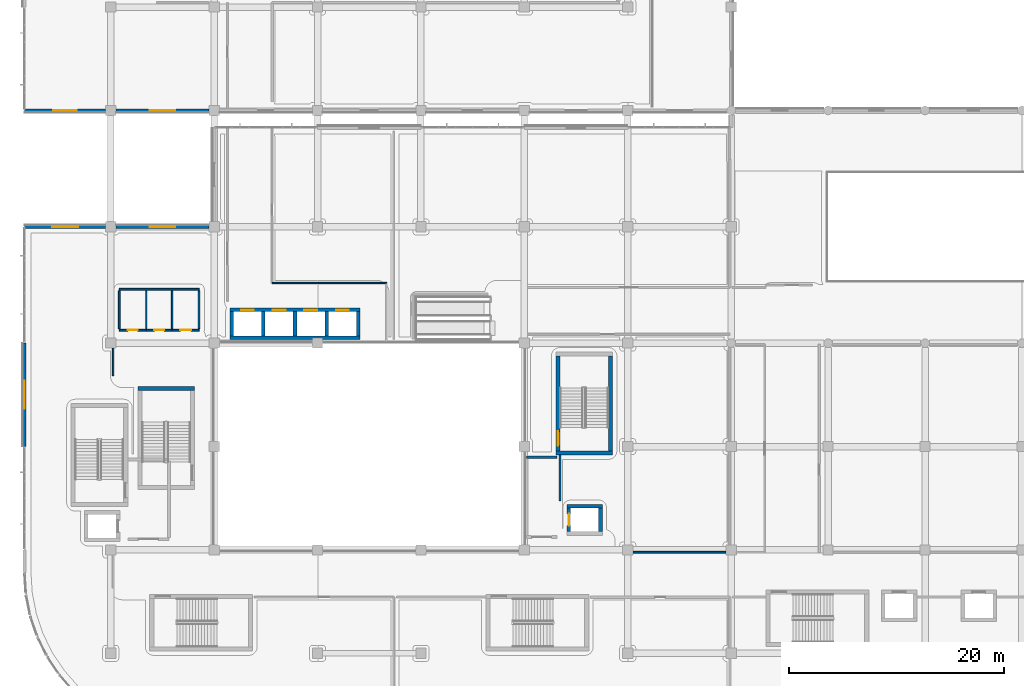
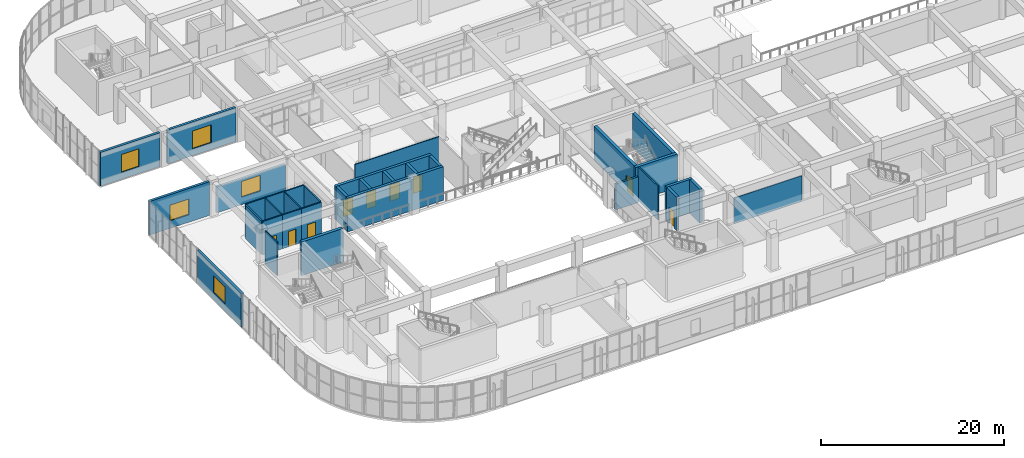
# One storey, part 52 of 86: 32 walls, 9 doors, 5 windows, 14 openings.
"""IFC4 building model written with IfcOpenShell, lengths in metres."""

from ifc_helpers import new_model, si_unit, direction, frame, frame_2d, origin, place, context, subcontext, project, spatial, rectangle, extrude, material, layer, layer_set, type_object, element, fill, save


model = new_model("IFC4")

# Units and contexts
model_context = context("Model", 3, precision=1e-05, world=origin(), true_north=direction((0.0, 1.0)))
body_context = subcontext(model_context, "Body", "Model", "MODEL_VIEW")
ifc_project = project(units=[si_unit("LENGTHUNIT", "METRE"), si_unit("AREAUNIT", "SQUARE_METRE"), si_unit("VOLUMEUNIT", "CUBIC_METRE"), si_unit("PLANEANGLEUNIT", "RADIAN"), si_unit("MASSUNIT", "GRAM", prefix="KILO")], contexts=[model_context])

# Site, building, storey
site_placement = place(None, origin())
site = spatial("IfcSite", under=ifc_project, at=site_placement, CompositionType="ELEMENT")
building_placement = place(site_placement, origin())
building = spatial("IfcBuilding", under=site, at=building_placement, Name="Cendralis Terraced Arcade", CompositionType="ELEMENT")
storey_placement = place(building_placement, frame((0.0, 0.0, 5.39990234375)))
storey = spatial("IfcBuildingStorey", under=building, at=storey_placement, Name="L01", CompositionType="ELEMENT", Elevation=5.39990234375)

# Wall
ifc_material_1 = material(Name="Concrete f'c 42 MPa", Category="concrete")
ifc_layer_1 = layer(ifc_material_1, 0.340087890625, Name="WL-CORE-340")
ifc_layer_set_1 = layer_set([ifc_layer_1], Name="Concrete f'c 42 MPa")
wall_type_1 = type_object("IfcWallType", Name="WL-CORE-340", PredefinedType="SHEAR", material=ifc_layer_set_1)
wall_1_placement = place(storey_placement, frame((51.9599609375, 23.27001953125, 0.0), z_axis=(0.0, 0.0, 1.0), x_axis=(1.0, 0.0, 0.0)))
element("IfcWall", 1, at=wall_1_placement, inside=storey, type_object=wall_type_1, Name="Lift FFL-02 Reinforced Concrete Shaft Wall (L01)", PredefinedType="SHEAR", context=body_context, shape_type="SweptSolid", body=[
    extrude(rectangle(XDim=3.280029296875, YDim=0.340087890625, at=frame_2d((1.64013671875, 0.0))), origin(), (0.0, 0.0, 1.0), 4.505126953125),
])

# Wall, opening, door
wall_2_placement = place(storey_placement, frame((52.1298828125, 20.89990234375, 0.0), z_axis=(0.0, 0.0, 1.0), x_axis=(0.0, 1.0, 0.0)))
wall_2 = element("IfcWall", 2, at=wall_2_placement, inside=storey, type_object=wall_type_1, Name="Lift FFL-02 Reinforced Concrete Shaft Wall (L01)", PredefinedType="SHEAR", context=body_context, shape_type="SweptSolid", body=[
    extrude(rectangle(XDim=2.2001953125, YDim=0.340087890625, at=frame_2d((1.10009765625, 0.0))), origin(), (0.0, 0.0, 1.0), 4.505126953125),
])
opening_1_placement = place(wall_2_placement, frame((0.550048828125, 0.0, 0.0)))
opening_1 = element("IfcOpeningElement", 3, at=opening_1_placement, cuts=wall_2, Name="Opening LD-FFL-02-L01", PredefinedType="OPENING", context=body_context, shape_type="SweptSolid", body=[
    extrude(rectangle(XDim=1.10009765625, YDim=2.14990234375, at=frame_2d((0.550048828125, 1.074951171875))), frame((0.0, 0.18212890625, 0.0), z_axis=(0.0, -1.0, 0.0), x_axis=(1.0, 0.0, 0.0)), (0.0, 0.0, 1.0), 0.364013671875),
])
ifc_material_2 = material(Name="Anodised aluminium sliding door assembly", Category="aluminium")
door_type_1 = type_object("IfcDoorType", Name="ID-LD-FF-1100x2150", OperationType="DOUBLE_DOOR_SLIDING", PredefinedType="DOOR", material=ifc_material_2)
door_1_placement = place(opening_1_placement, origin())
door_1 = element("IfcDoor", 4, at=door_1_placement, inside=storey, type_object=door_type_1, Name="Lift FFL-02 Sliding Landing Door (L01)", OperationType="DOUBLE_DOOR_SLIDING", OverallHeight=2.14990234375, OverallWidth=1.10009765625, PredefinedType="DOOR", context=body_context, shape_type="SweptSolid", body=[
    extrude(rectangle(XDim=1.10009765625, YDim=2.14990234375, at=frame_2d((0.550048828125, 1.074951171875))), frame((0.0, 0.02490234375, 0.0), z_axis=(0.0, -1.0, 0.0), x_axis=(1.0, 0.0, 0.0)), (0.0, 0.0, 1.0), 0.050048828125),
])
fill(opening_1, door_1)

# Walls
wall_3_placement = place(storey_placement, frame((55.070068359375, 20.89990234375, 0.0), z_axis=(0.0, 0.0, 1.0), x_axis=(0.0, 1.0, 0.0)))
element("IfcWall", 5, at=wall_3_placement, inside=storey, type_object=wall_type_1, Name="Lift FFL-02 Reinforced Concrete Shaft Wall (L01)", PredefinedType="SHEAR", context=body_context, shape_type="SweptSolid", body=[
    extrude(rectangle(XDim=2.2001953125, YDim=0.340087890625, at=frame_2d((1.10009765625, 0.0))), origin(), (0.0, 0.0, 1.0), 4.505126953125),
])
for number, where, z_axis, x_axis, name in (
    (6, (23.77001953125, 39.074951171875, 0.0), (0.0, 0.0, 1.0), (0.0, 1.0, 0.0), "Lift PL-01 Reinforced Concrete Shaft Wall (L01)"),
    (7, (20.830078125, 39.074951171875, 0.0), (0.0, 0.0, 1.0), (0.0, 1.0, 0.0), "Lift PL-01 Reinforced Concrete Shaft Wall (L01)"),
):
    element("IfcWall", number, at=place(storey_placement, frame(where, z_axis=z_axis, x_axis=x_axis)), inside=storey, type_object=wall_type_1, Name=name, PredefinedType="SHEAR", context=body_context, shape_type="SweptSolid", body=[
        extrude(rectangle(XDim=2.25, YDim=0.340087890625, at=frame_2d((1.125, 0.0))), origin(), (0.0, 0.0, 1.0), 4.505126953125),
    ])
wall_4_placement = place(storey_placement, frame((20.659912109375, 38.905029296875, 0.0), z_axis=(0.0, 0.0, 1.0), x_axis=(1.0, 0.0, 0.0)))
element("IfcWall", 8, at=wall_4_placement, inside=storey, type_object=wall_type_1, Name="Lift PL-01 Reinforced Concrete Shaft Wall (L01)", PredefinedType="SHEAR", context=body_context, shape_type="SweptSolid", body=[
    extrude(rectangle(XDim=12.10009765625, YDim=0.340087890625, at=frame_2d((6.050048828125, 0.0))), origin(), (0.0, 0.0, 1.0), 4.505126953125),
])

# Wall, openings, doors
wall_5_placement = place(storey_placement, frame((20.659912109375, 41.4951171875, 0.0), z_axis=(0.0, 0.0, 1.0), x_axis=(1.0, 0.0, 0.0)))
wall_5 = element("IfcWall", 9, at=wall_5_placement, inside=storey, type_object=wall_type_1, Name="Lift PL-01 Reinforced Concrete Shaft Wall (L01)", PredefinedType="SHEAR", context=body_context, shape_type="SweptSolid", body=[
    extrude(rectangle(XDim=12.10009765625, YDim=0.340087890625, at=frame_2d((6.050048828125, 0.0))), origin(), (0.0, 0.0, 1.0), 4.505126953125),
])
opening_2_placement = place(wall_5_placement, frame((1.0400390625, 0.0, 0.0)))
opening_2 = element("IfcOpeningElement", 10, at=opening_2_placement, cuts=wall_5, Name="Opening LD-PL-01-L01", PredefinedType="OPENING", context=body_context, shape_type="SweptSolid", body=[
    extrude(rectangle(XDim=1.199951171875, YDim=2.199951171875, at=frame_2d((0.60009765625, 1.10009765625))), frame((0.0, 0.18212890625, 0.0), z_axis=(0.0, -1.0, 0.0), x_axis=(1.0, 0.0, 0.0)), (0.0, 0.0, 1.0), 0.364013671875),
])
opening_3_placement = place(wall_5_placement, frame((3.97998046875, 0.0, 0.0)))
opening_3 = element("IfcOpeningElement", 11, at=opening_3_placement, cuts=wall_5, Name="Opening LD-PL-02-L01", PredefinedType="OPENING", context=body_context, shape_type="SweptSolid", body=[
    extrude(rectangle(XDim=1.199951171875, YDim=2.199951171875, at=frame_2d((0.60009765625, 1.10009765625))), frame((0.0, 0.18212890625, 0.0), z_axis=(0.0, -1.0, 0.0), x_axis=(1.0, 0.0, 0.0)), (0.0, 0.0, 1.0), 0.364013671875),
])
opening_4_placement = place(wall_5_placement, frame((6.919921875, 0.0, 0.0)))
opening_4 = element("IfcOpeningElement", 12, at=opening_4_placement, cuts=wall_5, Name="Opening LD-PL-03-L01", PredefinedType="OPENING", context=body_context, shape_type="SweptSolid", body=[
    extrude(rectangle(XDim=1.199951171875, YDim=2.199951171875, at=frame_2d((0.60009765625, 1.10009765625))), frame((0.0, 0.18212890625, 0.0), z_axis=(0.0, -1.0, 0.0), x_axis=(1.0, 0.0, 0.0)), (0.0, 0.0, 1.0), 0.364013671875),
])
opening_5_placement = place(wall_5_placement, frame((9.860107421875, 0.0, 0.0)))
opening_5 = element("IfcOpeningElement", 13, at=opening_5_placement, cuts=wall_5, Name="Opening LD-PL-04-L01", PredefinedType="OPENING", context=body_context, shape_type="SweptSolid", body=[
    extrude(rectangle(XDim=1.199951171875, YDim=2.199951171875, at=frame_2d((0.60009765625, 1.10009765625))), frame((0.0, 0.18212890625, 0.0), z_axis=(0.0, -1.0, 0.0), x_axis=(1.0, 0.0, 0.0)), (0.0, 0.0, 1.0), 0.364013671875),
])
door_type_2 = type_object("IfcDoorType", Name="ID-LD-PX-1200x2200", OperationType="DOUBLE_DOOR_SLIDING", PredefinedType="DOOR", material=ifc_material_2)
door_2_placement = place(opening_2_placement, origin())
door_2 = element("IfcDoor", 14, at=door_2_placement, inside=storey, type_object=door_type_2, Name="Lift PL-01 Sliding Landing Door (L01)", OperationType="DOUBLE_DOOR_SLIDING", OverallHeight=2.199951171875, OverallWidth=1.199951171875, PredefinedType="DOOR", context=body_context, shape_type="SweptSolid", body=[
    extrude(rectangle(XDim=1.199951171875, YDim=2.199951171875, at=frame_2d((0.60009765625, 1.10009765625))), frame((0.0, 0.02490234375, 0.0), z_axis=(0.0, -1.0, 0.0), x_axis=(1.0, 0.0, 0.0)), (0.0, 0.0, 1.0), 0.050048828125),
])
fill(opening_2, door_2)
door_3_placement = place(opening_3_placement, origin())
door_3 = element("IfcDoor", 15, at=door_3_placement, inside=storey, type_object=door_type_2, Name="Lift PL-02 Sliding Landing Door (L01)", OperationType="DOUBLE_DOOR_SLIDING", OverallHeight=2.199951171875, OverallWidth=1.199951171875, PredefinedType="DOOR", context=body_context, shape_type="SweptSolid", body=[
    extrude(rectangle(XDim=1.199951171875, YDim=2.199951171875, at=frame_2d((0.60009765625, 1.10009765625))), frame((0.0, 0.02490234375, 0.0), z_axis=(0.0, -1.0, 0.0), x_axis=(1.0, 0.0, 0.0)), (0.0, 0.0, 1.0), 0.050048828125),
])
fill(opening_3, door_3)
door_4_placement = place(opening_4_placement, origin())
door_4 = element("IfcDoor", 16, at=door_4_placement, inside=storey, type_object=door_type_2, Name="Lift PL-03 Sliding Landing Door (L01)", OperationType="DOUBLE_DOOR_SLIDING", OverallHeight=2.199951171875, OverallWidth=1.199951171875, PredefinedType="DOOR", context=body_context, shape_type="SweptSolid", body=[
    extrude(rectangle(XDim=1.199951171875, YDim=2.199951171875, at=frame_2d((0.60009765625, 1.10009765625))), frame((0.0, 0.02490234375, 0.0), z_axis=(0.0, -1.0, 0.0), x_axis=(1.0, 0.0, 0.0)), (0.0, 0.0, 1.0), 0.050048828125),
])
fill(opening_4, door_4)
door_5_placement = place(opening_5_placement, origin())
door_5 = element("IfcDoor", 17, at=door_5_placement, inside=storey, type_object=door_type_2, Name="Lift PL-04 Sliding Landing Door (L01)", OperationType="DOUBLE_DOOR_SLIDING", OverallHeight=2.199951171875, OverallWidth=1.199951171875, PredefinedType="DOOR", context=body_context, shape_type="SweptSolid", body=[
    extrude(rectangle(XDim=1.199951171875, YDim=2.199951171875, at=frame_2d((0.60009765625, 1.10009765625))), frame((0.0, 0.02490234375, 0.0), z_axis=(0.0, -1.0, 0.0), x_axis=(1.0, 0.0, 0.0)), (0.0, 0.0, 1.0), 0.050048828125),
])
fill(opening_5, door_5)

# Walls
for number, where, z_axis, x_axis, name in (
    (18, (26.7099609375, 39.074951171875, 0.0), (0.0, 0.0, 1.0), (0.0, 1.0, 0.0), "Lift PL-02 Reinforced Concrete Shaft Wall (L01)"),
    (19, (29.64990234375, 39.074951171875, 0.0), (0.0, 0.0, 1.0), (0.0, 1.0, 0.0), "Lift PL-03 Reinforced Concrete Shaft Wall (L01)"),
    (20, (32.590087890625, 39.074951171875, 0.0), (0.0, 0.0, 1.0), (0.0, 1.0, 0.0), "Lift PL-04 Reinforced Concrete Shaft Wall (L01)"),
):
    element("IfcWall", number, at=place(storey_placement, frame(where, z_axis=z_axis, x_axis=x_axis)), inside=storey, type_object=wall_type_1, Name=name, PredefinedType="SHEAR", context=body_context, shape_type="SweptSolid", body=[
        extrude(rectangle(XDim=2.25, YDim=0.340087890625, at=frame_2d((1.125, 0.0))), origin(), (0.0, 0.0, 1.0), 4.505126953125),
    ])
ifc_layer_2 = layer(ifc_material_1, 0.3798828125, Name="WL-CORE-380")
ifc_layer_set_2 = layer_set([ifc_layer_2], Name="Concrete f'c 42 MPa")
wall_type_2 = type_object("IfcWallType", Name="WL-CORE-380", PredefinedType="SHEAR", material=ifc_layer_set_2)
wall_6_placement = place(storey_placement, frame((50.919921875, 28.2099609375, 0.0), z_axis=(0.0, 0.0, 1.0), x_axis=(1.0, 0.0, 0.0)))
element("IfcWall", 21, at=wall_6_placement, inside=storey, type_object=wall_type_2, Name="Stair Core Reinforced Concrete Shear Wall SW-ST-04-L01-S", PredefinedType="SHEAR", context=body_context, shape_type="SweptSolid", body=[
    extrude(rectangle(XDim=5.260009765625, YDim=0.3798828125, at=frame_2d((2.6298828125, 0.0))), origin(), (0.0, 0.0, 1.0), 4.505126953125),
])
wall_7_placement = place(storey_placement, frame((55.989990234375, 28.39990234375, 0.0), z_axis=(0.0, 0.0, 1.0), x_axis=(0.0, 1.0, 0.0)))
element("IfcWall", 22, at=wall_7_placement, inside=storey, type_object=wall_type_2, Name="Stair Core Reinforced Concrete Shear Wall SW-ST-04-L01-E", PredefinedType="SHEAR", context=body_context, shape_type="SweptSolid", body=[
    extrude(rectangle(XDim=8.800048828125, YDim=0.3798828125, at=frame_2d((4.39990234375, 0.0))), origin(), (0.0, 0.0, 1.0), 4.505126953125),
])

# Wall, opening, door
wall_8_placement = place(storey_placement, frame((51.110107421875, 28.39990234375, 0.0), z_axis=(0.0, 0.0, 1.0), x_axis=(0.0, 1.0, 0.0)))
wall_8 = element("IfcWall", 23, at=wall_8_placement, inside=storey, type_object=wall_type_2, Name="Stair Core Reinforced Concrete Shear Wall SW-ST-04-L01-W", PredefinedType="SHEAR", context=body_context, shape_type="SweptSolid", body=[
    extrude(rectangle(XDim=8.800048828125, YDim=0.3798828125, at=frame_2d((4.39990234375, 0.0))), origin(), (0.0, 0.0, 1.0), 4.505126953125),
])
opening_6_placement = place(wall_8_placement, frame((0.449951171875, 0.0, 0.0)))
opening_6 = element("IfcOpeningElement", 24, at=opening_6_placement, cuts=wall_8, Name="Opening D-ST-04-L01", PredefinedType="OPENING", context=body_context, shape_type="SweptSolid", body=[
    extrude(rectangle(XDim=1.35009765625, YDim=2.199951171875, at=frame_2d((0.675048828125, 1.10009765625))), frame((0.0, 0.201904296875, 0.0), z_axis=(0.0, -1.0, 0.0), x_axis=(1.0, 0.0, 0.0)), (0.0, 0.0, 1.0), 0.40380859375),
])
ifc_material_3 = material(Name="Galvanised fire-rated steel door assembly", Category="steel")
door_type_3 = type_object("IfcDoorType", Name="ID-ST-1350x2200", OperationType="NOTDEFINED", PredefinedType="DOOR", material=ifc_material_3)
door_6_placement = place(opening_6_placement, frame((1.35009765625, 0.0, 0.0), z_axis=(0.0, 0.0, 1.0), x_axis=(-1.0, 0.0, 0.0)))
door_6 = element("IfcDoor", 25, at=door_6_placement, inside=storey, type_object=door_type_3, Name="Protected Stair ST-04 Fire Door (L01)", OperationType="SINGLE_SWING_LEFT", OverallHeight=2.199951171875, OverallWidth=1.35009765625, PredefinedType="DOOR", context=body_context, shape_type="SweptSolid", body=[
    extrude(rectangle(XDim=1.35009765625, YDim=2.199951171875, at=frame_2d((0.675048828125, 1.10009765625))), frame((0.0, 0.02490234375, 0.0), z_axis=(0.0, -1.0, 0.0), x_axis=(1.0, 0.0, 0.0)), (0.0, 0.0, 1.0), 0.050048828125),
])
fill(opening_6, door_6)

# Wall
wall_9_placement = place(storey_placement, frame((12.1201171875, 34.18994140625, 0.0), z_axis=(0.0, 0.0, 1.0), x_axis=(1.0, 0.0, 0.0)))
element("IfcWall", 26, at=wall_9_placement, inside=storey, type_object=wall_type_2, Name="Stair Core Reinforced Concrete Shear Wall SW-ST-05-L01-N", PredefinedType="SHEAR", context=body_context, shape_type="SweptSolid", body=[
    extrude(rectangle(XDim=5.259765625, YDim=0.3798828125, at=frame_2d((2.6298828125, 0.0))), origin(), (0.0, 0.0, 1.0), 4.505126953125),
])

# Wall, opening, window
ifc_material_4 = material(Name="Precast concrete f'c 40 MPa", Category="concrete")
ifc_layer_3 = layer(ifc_material_4, 0.300048828125, Name="WL-EXT-GRC-300")
ifc_layer_set_3 = layer_set([ifc_layer_3], Name="Precast concrete f'c 40 MPa")
wall_type_3 = type_object("IfcWallType", Name="WL-EXT-GRC-300", PredefinedType="SOLIDWALL", material=ifc_layer_set_3)
wall_10_placement = place(storey_placement, frame((18.72705078125, 60.0, 0.0), z_axis=(0.0, 0.0, 1.0), x_axis=(-1.0, 0.0, 0.0)))
wall_10 = element("IfcWall", 27, at=wall_10_placement, inside=storey, type_object=wall_type_3, Name="Exterior Architectural Wall EW-L01-0087", PredefinedType="SOLIDWALL", context=body_context, shape_type="SweptSolid", body=[
    extrude(rectangle(XDim=8.654052734375, YDim=0.300048828125, at=frame_2d((4.3271484375, 0.0))), origin(), (0.0, 0.0, 1.0), 4.505126953125),
])
opening_7_placement = place(wall_10_placement, frame((3.126953125, 0.0, 0.89990234375)))
opening_7 = element("IfcOpeningElement", 28, at=opening_7_placement, cuts=wall_10, Name="Opening W-01", PredefinedType="OPENING", context=body_context, shape_type="SweptSolid", body=[
    extrude(rectangle(XDim=2.39990234375, YDim=2.39990234375, at=frame_2d((1.199951171875, 1.199951171875))), frame((0.0, 0.162109375, 0.0), z_axis=(0.0, -1.0, 0.0), x_axis=(1.0, 0.0, 0.0)), (0.0, 0.0, 1.0), 0.323974609375),
])
ifc_material_5 = material(Name="Tempered solar control laminated glass", Category="glass")
window_type_1 = type_object("IfcWindowType", Name="WN-F1-2400x2400", PartitioningType="SINGLE_PANEL", PredefinedType="WINDOW", material=ifc_material_5)
window_1_placement = place(opening_7_placement, origin())
window_1 = element("IfcWindow", 29, at=window_1_placement, inside=storey, type_object=window_type_1, Name="Exterior Solar-Control Window WN-L01-0046", OverallHeight=2.39990234375, OverallWidth=2.39990234375, PartitioningType="SINGLE_PANEL", PredefinedType="WINDOW", context=body_context, shape_type="SweptSolid", body=[
    extrude(rectangle(XDim=2.39990234375, YDim=2.39990234375, at=frame_2d((1.199951171875, 1.199951171875))), frame((0.0, 0.030029296875, 0.0), z_axis=(0.0, -1.0, 0.0), x_axis=(1.0, 0.0, 0.0)), (0.0, 0.0, 1.0), 0.06005859375),
])
fill(opening_7, window_1)

wall_11_placement = place(storey_placement, frame((9.126953125, 60.0, 0.0), z_axis=(0.0, 0.0, 1.0), x_axis=(-1.0, 0.0, 0.0)))
wall_11 = element("IfcWall", 30, at=wall_11_placement, inside=storey, type_object=wall_type_3, Name="Exterior Architectural Wall EW-L01-0088", PredefinedType="SOLIDWALL", context=body_context, shape_type="SweptSolid", body=[
    extrude(rectangle(XDim=7.52685546875, YDim=0.300048828125, at=frame_2d((3.763427734375, 0.0))), origin(), (0.0, 0.0, 1.0), 4.505126953125),
])
opening_8_placement = place(wall_11_placement, frame((2.66357421875, 0.0, 0.89990234375)))
opening_8 = element("IfcOpeningElement", 31, at=opening_8_placement, cuts=wall_11, Name="Opening W-02", PredefinedType="OPENING", context=body_context, shape_type="SweptSolid", body=[
    extrude(rectangle(XDim=2.199951171875, YDim=2.39990234375, at=frame_2d((1.10009765625, 1.199951171875))), frame((0.0, 0.162109375, 0.0), z_axis=(0.0, -1.0, 0.0), x_axis=(1.0, 0.0, 0.0)), (0.0, 0.0, 1.0), 0.323974609375),
])
window_type_2 = type_object("IfcWindowType", Name="WN-F1-2200x2400", PartitioningType="SINGLE_PANEL", PredefinedType="WINDOW", material=ifc_material_5)
window_2_placement = place(opening_8_placement, origin())
window_2 = element("IfcWindow", 32, at=window_2_placement, inside=storey, type_object=window_type_2, Name="Exterior Solar-Control Window WN-L01-0047", OverallHeight=2.39990234375, OverallWidth=2.199951171875, PartitioningType="SINGLE_PANEL", PredefinedType="WINDOW", context=body_context, shape_type="SweptSolid", body=[
    extrude(rectangle(XDim=2.199951171875, YDim=2.39990234375, at=frame_2d((1.10009765625, 1.199951171875))), frame((0.0, 0.030029296875, 0.0), z_axis=(0.0, -1.0, 0.0), x_axis=(1.0, 0.0, 0.0)), (0.0, 0.0, 1.0), 0.06005859375),
])
fill(opening_8, window_2)

wall_12_placement = place(storey_placement, frame((1.60009765625, 28.800048828125, 0.0), z_axis=(0.0, 0.0, 1.0), x_axis=(0.0, 1.0, 0.0)))
wall_12 = element("IfcWall", 33, at=wall_12_placement, inside=storey, type_object=wall_type_3, Name="Exterior Architectural Wall EW-L01-0126", PredefinedType="SOLIDWALL", context=body_context, shape_type="SweptSolid", body=[
    extrude(rectangle(XDim=9.599853515625, YDim=0.300048828125, at=frame_2d((4.7998046875, 0.0))), origin(), (0.0, 0.0, 1.0), 4.505126953125),
])
opening_9_placement = place(wall_12_placement, frame((3.5, 0.0, 0.949951171875)))
opening_9 = element("IfcOpeningElement", 34, at=opening_9_placement, cuts=wall_12, Name="Opening W-10", PredefinedType="OPENING", context=body_context, shape_type="SweptSolid", body=[
    extrude(rectangle(XDim=2.60009765625, YDim=2.300048828125, at=frame_2d((1.300048828125, 1.14990234375))), frame((0.0, 0.162109375, 0.0), z_axis=(0.0, -1.0, 0.0), x_axis=(1.0, 0.0, 0.0)), (0.0, 0.0, 1.0), 0.323974609375),
])
window_type_3 = type_object("IfcWindowType", Name="WN-F2-2600x2300", PartitioningType="SINGLE_PANEL", PredefinedType="WINDOW", material=ifc_material_5)
window_3_placement = place(opening_9_placement, origin())
window_3 = element("IfcWindow", 35, at=window_3_placement, inside=storey, type_object=window_type_3, Name="Exterior Solar-Control Window WN-L01-0077", OverallHeight=2.300048828125, OverallWidth=2.60009765625, PartitioningType="SINGLE_PANEL", PredefinedType="WINDOW", context=body_context, shape_type="SweptSolid", body=[
    extrude(rectangle(XDim=2.60009765625, YDim=2.300048828125, at=frame_2d((1.300048828125, 1.14990234375))), frame((0.0, 0.030029296875, 0.0), z_axis=(0.0, -1.0, 0.0), x_axis=(1.0, 0.0, 0.0)), (0.0, 0.0, 1.0), 0.06005859375),
])
fill(opening_9, window_3)

wall_13_placement = place(storey_placement, frame((1.60009765625, 49.199951171875, 0.0), z_axis=(0.0, 0.0, 1.0), x_axis=(1.0, 0.0, 0.0)))
wall_13 = element("IfcWall", 36, at=wall_13_placement, inside=storey, type_object=wall_type_3, Name="Exterior Architectural Wall EW-L01-0127", PredefinedType="SOLIDWALL", context=body_context, shape_type="SweptSolid", body=[
    extrude(rectangle(XDim=7.52685546875, YDim=0.300048828125, at=frame_2d((3.763427734375, 0.0))), origin(), (0.0, 0.0, 1.0), 4.505126953125),
])
opening_10_placement = place(wall_13_placement, frame((2.5634765625, 0.0, 1.0)))
opening_10 = element("IfcOpeningElement", 37, at=opening_10_placement, cuts=wall_13, Name="Opening W-11", PredefinedType="OPENING", context=body_context, shape_type="SweptSolid", body=[
    extrude(rectangle(XDim=2.39990234375, YDim=2.10009765625, at=frame_2d((1.199951171875, 1.050048828125))), frame((0.0, 0.162109375, 0.0), z_axis=(0.0, -1.0, 0.0), x_axis=(1.0, 0.0, 0.0)), (0.0, 0.0, 1.0), 0.323974609375),
])
window_type_4 = type_object("IfcWindowType", Name="WN-F2-2400x2100", PartitioningType="SINGLE_PANEL", PredefinedType="WINDOW", material=ifc_material_5)
window_4_placement = place(opening_10_placement, origin())
window_4 = element("IfcWindow", 38, at=window_4_placement, inside=storey, type_object=window_type_4, Name="Exterior Solar-Control Window WN-L01-0078", OverallHeight=2.10009765625, OverallWidth=2.39990234375, PartitioningType="SINGLE_PANEL", PredefinedType="WINDOW", context=body_context, shape_type="SweptSolid", body=[
    extrude(rectangle(XDim=2.39990234375, YDim=2.10009765625, at=frame_2d((1.199951171875, 1.050048828125))), frame((0.0, 0.030029296875, 0.0), z_axis=(0.0, -1.0, 0.0), x_axis=(1.0, 0.0, 0.0)), (0.0, 0.0, 1.0), 0.06005859375),
])
fill(opening_10, window_4)

wall_14_placement = place(storey_placement, frame((10.072998046875, 49.199951171875, 0.0), z_axis=(0.0, 0.0, 1.0), x_axis=(1.0, 0.0, 0.0)))
wall_14 = element("IfcWall", 39, at=wall_14_placement, inside=storey, type_object=wall_type_3, Name="Exterior Architectural Wall EW-L01-0128", PredefinedType="SOLIDWALL", context=body_context, shape_type="SweptSolid", body=[
    extrude(rectangle(XDim=8.654052734375, YDim=0.300048828125, at=frame_2d((4.3271484375, 0.0))), origin(), (0.0, 0.0, 1.0), 3.445068359375),
])
opening_11_placement = place(wall_14_placement, frame((3.126953125, 0.0, 1.0)))
opening_11 = element("IfcOpeningElement", 40, at=opening_11_placement, cuts=wall_14, Name="Opening W-11", PredefinedType="OPENING", context=body_context, shape_type="SweptSolid", body=[
    extrude(rectangle(XDim=2.39990234375, YDim=2.10009765625, at=frame_2d((1.199951171875, 1.050048828125))), frame((0.0, 0.162109375, 0.0), z_axis=(0.0, -1.0, 0.0), x_axis=(1.0, 0.0, 0.0)), (0.0, 0.0, 1.0), 0.323974609375),
])
window_5_placement = place(opening_11_placement, origin())
window_5 = element("IfcWindow", 41, at=window_5_placement, inside=storey, type_object=window_type_4, Name="Exterior Solar-Control Window WN-L01-0079", OverallHeight=2.10009765625, OverallWidth=2.39990234375, PartitioningType="SINGLE_PANEL", PredefinedType="WINDOW", context=body_context, shape_type="SweptSolid", body=[
    extrude(rectangle(XDim=2.39990234375, YDim=2.10009765625, at=frame_2d((1.199951171875, 1.050048828125))), frame((0.0, 0.030029296875, 0.0), z_axis=(0.0, -1.0, 0.0), x_axis=(1.0, 0.0, 0.0)), (0.0, 0.0, 1.0), 0.06005859375),
])
fill(opening_11, window_5)

# Walls
ifc_material_6 = material(Name="Autoclaved aerated concrete blockwork", Category="masonry")
ifc_layer_4 = layer(ifc_material_6, 0.25, Name="WL-FFL-250")
ifc_layer_set_4 = layer_set([ifc_layer_4], Name="Autoclaved aerated concrete blockwork")
wall_type_4 = type_object("IfcWallType", Name="WL-FFL-250", PredefinedType="PARTITIONING", material=ifc_layer_set_4)
wall_15_placement = place(storey_placement, frame((48.199951171875, 27.800048828125, 0.0), z_axis=(0.0, 0.0, 1.0), x_axis=(1.0, 0.0, 0.0)))
element("IfcWall", 42, at=wall_15_placement, inside=storey, type_object=wall_type_4, Name="Firefighting Lift Lobby FFL-02 Rated Wall N (L01)", PredefinedType="PARTITIONING", context=body_context, shape_type="SweptSolid", body=[
    extrude(rectangle(XDim=2.85009765625, YDim=0.25, at=frame_2d((1.425048828125, 0.0))), origin(), (0.0, 0.0, 1.0), 3.445068359375),
])
ifc_material_7 = material(Name="Gypsum plasterboard acoustic partition", Category="concrete")
ifc_layer_5 = layer(ifc_material_7, 0.114990234375, Name="WL-PART-115")
ifc_layer_set_5 = layer_set([ifc_layer_5], Name="Gypsum plasterboard acoustic partition")
wall_type_5 = type_object("IfcWallType", Name="WL-PART-115", PredefinedType="PARTITIONING", material=ifc_layer_set_5)
wall_16_placement = place(storey_placement, frame((35.236083984375, 43.97998046875, 0.0), z_axis=(0.0, 0.0, 1.0), x_axis=(-1.0, 0.0, 0.0)))
element("IfcWall", 43, at=wall_16_placement, inside=storey, type_object=wall_type_5, Name="Interior Partition Wall IW-L01-0335", PredefinedType="PARTITIONING", context=body_context, shape_type="SweptSolid", body=[
    extrude(rectangle(XDim=10.656005859375, YDim=0.114990234375, at=frame_2d((5.328125, 0.0))), origin(), (0.0, 0.0, 1.0), 4.505126953125),
])
ifc_layer_6 = layer(ifc_material_7, 0.1259765625, Name="WL-PART-126")
ifc_layer_set_6 = layer_set([ifc_layer_6], Name="Gypsum plasterboard acoustic partition")
wall_type_6 = type_object("IfcWallType", Name="WL-PART-126", PredefinedType="PARTITIONING", material=ifc_layer_set_6)
wall_17_placement = place(storey_placement, frame((9.820068359375, 37.925048828125, 0.0), z_axis=(0.0, 0.0, 1.0), x_axis=(0.0, -1.0, 0.0)))
element("IfcWall", 44, at=wall_17_placement, inside=storey, type_object=wall_type_6, Name="Interior Partition Wall IW-L01-0333", PredefinedType="PARTITIONING", context=body_context, shape_type="SweptSolid", body=[
    extrude(rectangle(XDim=2.545166015625, YDim=0.1259765625, at=frame_2d((1.2724609375, 0.0))), origin(), (0.0, 0.0, 1.0), 4.505126953125),
])
ifc_layer_7 = layer(ifc_material_7, 0.1298828125, Name="WL-PART-130")
ifc_layer_set_7 = layer_set([ifc_layer_7], Name="Gypsum plasterboard acoustic partition")
wall_type_7 = type_object("IfcWallType", Name="WL-PART-130", PredefinedType="PARTITIONING", material=ifc_layer_set_7)
for number, where, z_axis, x_axis, name in (
    (45, (12.89990234375, 39.75, 0.0), (0.0, 0.0, 1.0), (0.0, 1.0, 0.0), "Restroom Enclosure Partition IW-WC-L01-0025"),
    (46, (15.300048828125, 39.75, 0.0), (0.0, 0.0, 1.0), (0.0, 1.0, 0.0), "Restroom Enclosure Partition IW-WC-L01-0026"),
):
    element("IfcWall", number, at=place(storey_placement, frame(where, z_axis=z_axis, x_axis=x_axis)), inside=storey, type_object=wall_type_7, Name=name, PredefinedType="PARTITIONING", context=body_context, shape_type="SweptSolid", body=[
        extrude(rectangle(XDim=3.5, YDim=0.1298828125, at=frame_2d((1.75, 0.0))), origin(), (0.0, 0.0, 1.0), 4.505126953125),
    ])
ifc_layer_8 = layer(ifc_material_7, 0.14501953125, Name="WL-PART-145")
ifc_layer_set_8 = layer_set([ifc_layer_8], Name="Gypsum plasterboard acoustic partition")
wall_type_8 = type_object("IfcWallType", Name="WL-PART-145", PredefinedType="PARTITIONING", material=ifc_layer_set_8)
wall_18_placement = place(storey_placement, frame((51.31005859375, 23.744873046875, 0.0), z_axis=(0.0, 0.0, 1.0), x_axis=(0.0, 1.0, 0.0)))
element("IfcWall", 47, at=wall_18_placement, inside=storey, type_object=wall_type_8, Name="Interior Partition Wall IW-L01-0350", PredefinedType="PARTITIONING", context=body_context, shape_type="SweptSolid", body=[
    extrude(rectangle(XDim=4.275146484375, YDim=0.14501953125, at=frame_2d((2.1376953125, 0.0))), origin(), (0.0, 0.0, 1.0), 4.505126953125),
])
ifc_layer_9 = layer(ifc_material_7, 0.14990234375, Name="WL-PART-150")
ifc_layer_set_9 = layer_set([ifc_layer_9], Name="Gypsum plasterboard acoustic partition")
wall_type_9 = type_object("IfcWallType", Name="WL-PART-150", PredefinedType="PARTITIONING", material=ifc_layer_set_9)
wall_19_placement = place(storey_placement, frame((66.705078125, 18.97998046875, 0.0), z_axis=(0.0, 0.0, 1.0), x_axis=(-1.0, 0.0, 0.0)))
element("IfcWall", 48, at=wall_19_placement, inside=storey, type_object=wall_type_9, Name="Interior Partition Wall IW-L01-0349", PredefinedType="PARTITIONING", context=body_context, shape_type="SweptSolid", body=[
    extrude(rectangle(XDim=8.610107421875, YDim=0.14990234375, at=frame_2d((4.30517578125, 0.0))), origin(), (0.0, 0.0, 1.0), 3.445068359375),
])
ifc_layer_10 = layer(ifc_material_7, 0.159912109375, Name="WL-PART-160")
ifc_layer_set_10 = layer_set([ifc_layer_10], Name="Gypsum plasterboard acoustic partition")
wall_type_10 = type_object("IfcWallType", Name="WL-PART-160", PredefinedType="PARTITIONING", material=ifc_layer_set_10)
wall_20_placement = place(storey_placement, frame((10.39990234375, 43.39990234375, 0.0), z_axis=(0.0, 0.0, 1.0), x_axis=(1.0, 0.0, 0.0)))
element("IfcWall", 49, at=wall_20_placement, inside=storey, type_object=wall_type_10, Name="Restroom Enclosure Partition IW-WC-L01-0023", PredefinedType="PARTITIONING", context=body_context, shape_type="SweptSolid", body=[
    extrude(rectangle(XDim=7.400146484375, YDim=0.159912109375, at=frame_2d((3.7001953125, 0.0))), origin(), (0.0, 0.0, 1.0), 4.505126953125),
])
for number, where, z_axis, x_axis, name in (
    (50, (10.39990234375, 39.75, 0.0), (0.0, 0.0, 1.0), (0.0, 1.0, 0.0), "Restroom Enclosure Partition IW-WC-L01-0024"),
    (51, (17.800048828125, 39.75, 0.0), (0.0, 0.0, 1.0), (0.0, 1.0, 0.0), "Restroom Enclosure Partition IW-WC-L01-0027"),
):
    element("IfcWall", number, at=place(storey_placement, frame(where, z_axis=z_axis, x_axis=x_axis)), inside=storey, type_object=wall_type_10, Name=name, PredefinedType="PARTITIONING", context=body_context, shape_type="SweptSolid", body=[
        extrude(rectangle(XDim=3.5, YDim=0.159912109375, at=frame_2d((1.75, 0.0))), origin(), (0.0, 0.0, 1.0), 4.505126953125),
    ])

# Wall, opening, door
wall_21_placement = place(storey_placement, frame((10.39990234375, 39.60009765625, 0.0), z_axis=(0.0, 0.0, 1.0), x_axis=(1.0, 0.0, 0.0)))
wall_21 = element("IfcWall", 52, at=wall_21_placement, inside=storey, type_object=wall_type_10, Name="Restroom Enclosure Partition IW-WC-L01-0028", PredefinedType="PARTITIONING", context=body_context, shape_type="SweptSolid", body=[
    extrude(rectangle(XDim=2.5, YDim=0.159912109375, at=frame_2d((1.25, 0.0))), origin(), (0.0, 0.0, 1.0), 4.505126953125),
])
opening_12_placement = place(wall_21_placement, frame((0.77490234375, 0.0, 0.0)))
opening_12 = element("IfcOpeningElement", 53, at=opening_12_placement, cuts=wall_21, Name="Opening D-WC-L01-009", PredefinedType="OPENING", context=body_context, shape_type="SweptSolid", body=[
    extrude(rectangle(XDim=0.949951171875, YDim=2.080078125, at=frame_2d((0.47509765625, 1.0400390625))), frame((0.0, 0.091796875, 0.0), z_axis=(0.0, -1.0, 0.0), x_axis=(1.0, 0.0, 0.0)), (0.0, 0.0, 1.0), 0.183837890625),
])
ifc_material_8 = material(Name="Solid core Andean oak veneer door leaf", Category="aluminium")
door_type_4 = type_object("IfcDoorType", Name="ID-WC-0950x2080", OperationType="NOTDEFINED", PredefinedType="DOOR", material=ifc_material_8)
door_7_placement = place(opening_12_placement, origin())
door_7 = element("IfcDoor", 54, at=door_7_placement, inside=storey, type_object=door_type_4, Name="Women's Restroom Door (L01)", OperationType="SINGLE_SWING_RIGHT", OverallHeight=2.080078125, OverallWidth=0.949951171875, PredefinedType="DOOR", context=body_context, shape_type="SweptSolid", body=[
    extrude(rectangle(XDim=0.949951171875, YDim=2.080078125, at=frame_2d((0.47509765625, 1.0400390625))), frame((0.0, 0.02490234375, 0.0), z_axis=(0.0, -1.0, 0.0), x_axis=(1.0, 0.0, 0.0)), (0.0, 0.0, 1.0), 0.050048828125),
])
fill(opening_12, door_7)

wall_22_placement = place(storey_placement, frame((12.89990234375, 39.60009765625, 0.0), z_axis=(0.0, 0.0, 1.0), x_axis=(1.0, 0.0, 0.0)))
wall_22 = element("IfcWall", 55, at=wall_22_placement, inside=storey, type_object=wall_type_10, Name="Restroom Enclosure Partition IW-WC-L01-0029", PredefinedType="PARTITIONING", context=body_context, shape_type="SweptSolid", body=[
    extrude(rectangle(XDim=2.400146484375, YDim=0.159912109375, at=frame_2d((1.2001953125, 0.0))), origin(), (0.0, 0.0, 1.0), 4.505126953125),
])
opening_13_placement = place(wall_22_placement, frame((0.739990234375, 0.0, 0.0)))
opening_13 = element("IfcOpeningElement", 56, at=opening_13_placement, cuts=wall_22, Name="Opening D-WC-L01-010", PredefinedType="OPENING", context=body_context, shape_type="SweptSolid", body=[
    extrude(rectangle(XDim=0.919921875, YDim=2.050048828125, at=frame_2d((0.4599609375, 1.02490234375))), frame((0.0, 0.091796875, 0.0), z_axis=(0.0, -1.0, 0.0), x_axis=(1.0, 0.0, 0.0)), (0.0, 0.0, 1.0), 0.183837890625),
])
door_type_5 = type_object("IfcDoorType", Name="ID-WC-0920x2050", OperationType="NOTDEFINED", PredefinedType="DOOR", material=ifc_material_8)
door_8_placement = place(opening_13_placement, origin())
door_8 = element("IfcDoor", 57, at=door_8_placement, inside=storey, type_object=door_type_5, Name="Men's Restroom Door (L01)", OperationType="SINGLE_SWING_LEFT", OverallHeight=2.050048828125, OverallWidth=0.919921875, PredefinedType="DOOR", context=body_context, shape_type="SweptSolid", body=[
    extrude(rectangle(XDim=0.919921875, YDim=2.050048828125, at=frame_2d((0.4599609375, 1.02490234375))), frame((0.0, 0.02490234375, 0.0), z_axis=(0.0, -1.0, 0.0), x_axis=(1.0, 0.0, 0.0)), (0.0, 0.0, 1.0), 0.050048828125),
])
fill(opening_13, door_8)

wall_23_placement = place(storey_placement, frame((15.300048828125, 39.60009765625, 0.0), z_axis=(0.0, 0.0, 1.0), x_axis=(1.0, 0.0, 0.0)))
wall_23 = element("IfcWall", 58, at=wall_23_placement, inside=storey, type_object=wall_type_10, Name="Restroom Enclosure Partition IW-WC-L01-0030", PredefinedType="PARTITIONING", context=body_context, shape_type="SweptSolid", body=[
    extrude(rectangle(XDim=2.5, YDim=0.159912109375, at=frame_2d((1.25, 0.0))), origin(), (0.0, 0.0, 1.0), 4.505126953125),
])
opening_14_placement = place(wall_23_placement, frame((0.739990234375, 0.0, 0.0)))
opening_14 = element("IfcOpeningElement", 59, at=opening_14_placement, cuts=wall_23, Name="Opening D-WC-L01-011", PredefinedType="OPENING", context=body_context, shape_type="SweptSolid", body=[
    extrude(rectangle(XDim=1.02001953125, YDim=2.1201171875, at=frame_2d((0.510009765625, 1.06005859375))), frame((0.0, 0.091796875, 0.0), z_axis=(0.0, -1.0, 0.0), x_axis=(1.0, 0.0, 0.0)), (0.0, 0.0, 1.0), 0.183837890625),
])
door_type_6 = type_object("IfcDoorType", Name="ID-AWC-1020x2120", OperationType="NOTDEFINED", PredefinedType="DOOR", material=ifc_material_8)
door_9_placement = place(opening_14_placement, origin())
door_9 = element("IfcDoor", 60, at=door_9_placement, inside=storey, type_object=door_type_6, Name="Accessible WC Door (L01)", OperationType="SINGLE_SWING_RIGHT", OverallHeight=2.1201171875, OverallWidth=1.02001953125, PredefinedType="DOOR", context=body_context, shape_type="SweptSolid", body=[
    extrude(rectangle(XDim=1.02001953125, YDim=2.1201171875, at=frame_2d((0.510009765625, 1.06005859375))), frame((0.0, 0.02490234375, 0.0), z_axis=(0.0, -1.0, 0.0), x_axis=(1.0, 0.0, 0.0)), (0.0, 0.0, 1.0), 0.050048828125),
])
fill(opening_14, door_9)

save(model, "model.ifc")
